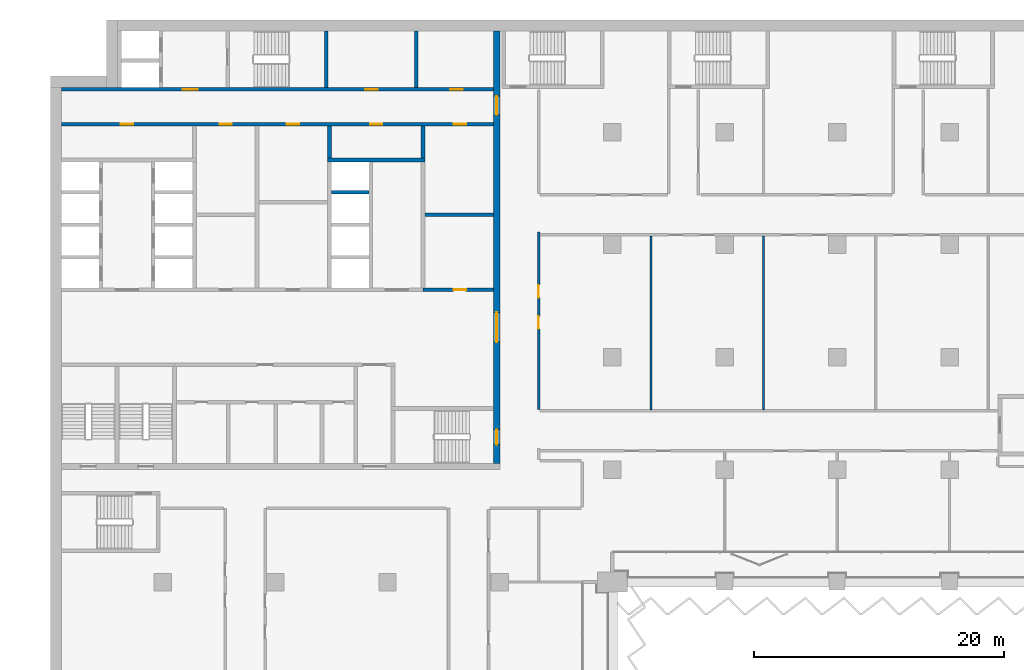
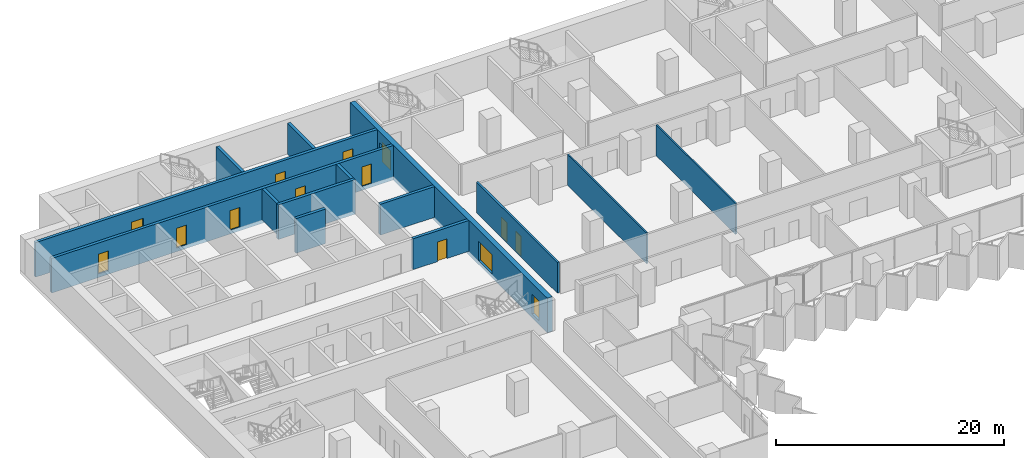
# One storey, part 15 of 28: 14 doors, 14 walls, 14 openings.
"""IFC4 building model written with IfcOpenShell, lengths in metres."""

import ifcopenshell
import ifcopenshell.guid

model = None  # the IFC model being written
_history = None  # IfcOwnerHistory: only IFC2X3 demands one
_inside = {}  # id of a spatial element -> (the spatial element, [elements in it])
_under = {}  # id of a project, library or spatial element -> (it, [spatial elements below it])
_declared = {}  # id of a project -> (the project, [libraries it declares])
_typed = {}  # id of a type object -> (the type object, [elements of that type])
_made_of = {}  # id of a material, layer set ... -> (it, [elements and type objects made of it])


def new_model(schema):
    """Start an empty IFC model of exactly this schema.

    Asked for "IFC4X3", IfcOpenShell would pick the latest addendum, in which some entities
    have other attributes; the version numbers below select the first issue.
    IFC2X3 requires an IfcOwnerHistory on every rooted entity: one is made here for all.
    """
    global model, _history
    if schema == "IFC4X3":
        model = ifcopenshell.file(schema_version=(4, 3, 0, 0))
    else:
        model = ifcopenshell.file(schema=schema)
    _inside.clear()
    _under.clear()
    _declared.clear()
    _typed.clear()
    _made_of.clear()
    _history = None
    if model.schema == "IFC2X3":
        org = make("IfcOrganization", Name="unknown")
        user = make(
            "IfcPersonAndOrganization",
            ThePerson=make("IfcPerson", FamilyName="unknown"),
            TheOrganization=org,
        )
        app = make(
            "IfcApplication",
            ApplicationDeveloper=org,
            Version="unknown",
            ApplicationFullName="unknown",
            ApplicationIdentifier="unknown",
        )
        _history = make(
            "IfcOwnerHistory",
            OwningUser=user,
            OwningApplication=app,
            ChangeAction="ADDED",
            CreationDate=0,
        )
    return model


def make(cls, **values):
    """One entity of the class cls with the attributes given. An attribute that is None is left unset."""
    return model.create_entity(
        cls, **{name: value for name, value in values.items() if value is not None}
    )


def rooted(cls, **values):
    """An entity with a GlobalId (a new one), such as an element, a storey or a relation."""
    return make(cls, GlobalId=ifcopenshell.guid.new(), OwnerHistory=_history, **values)


def si_unit(unit_type, name, prefix=None):
    """IfcSIUnit, for example si_unit("LENGTHUNIT", "METRE", prefix="MILLI")."""
    return make("IfcSIUnit", UnitType=unit_type, Prefix=prefix, Name=name)


def assignment(units):
    """IfcUnitAssignment: the units of a project."""
    return None if units is None else make("IfcUnitAssignment", Units=units)


def point(xyz):
    """IfcCartesianPoint."""
    return None if xyz is None else make("IfcCartesianPoint", Coordinates=xyz)


def direction(xyz):
    """IfcDirection."""
    return None if xyz is None else make("IfcDirection", DirectionRatios=xyz)


def frame(location, z_axis=None, x_axis=None):
    """IfcAxis2Placement3D, a coordinate frame: its origin and axes. An axis left out is left unset."""
    return make(
        "IfcAxis2Placement3D",
        Location=point(location),
        Axis=direction(z_axis),
        RefDirection=direction(x_axis),
    )


def frame_2d(location, x_axis=None):
    """IfcAxis2Placement2D, a coordinate frame in the plane: its origin and x axis."""
    return make(
        "IfcAxis2Placement2D", Location=point(location), RefDirection=direction(x_axis)
    )


def origin():
    """The frame at (0, 0, 0) with its axes left unset."""
    return frame((0.0, 0.0, 0.0))


def place(relative_to, where):
    """IfcLocalPlacement: puts the frame where relative to a parent placement (None: the world)."""
    return make(
        "IfcLocalPlacement", PlacementRelTo=relative_to, RelativePlacement=where
    )


def context(
    kind, dimensions, precision=None, world=None, true_north=None, identifier=None
):
    """IfcGeometricRepresentationContext, for example the 3D "Model" context."""
    return make(
        "IfcGeometricRepresentationContext",
        ContextIdentifier=identifier,
        ContextType=kind,
        CoordinateSpaceDimension=dimensions,
        Precision=precision,
        WorldCoordinateSystem=world,
        TrueNorth=true_north,
    )


def subcontext(parent, identifier, kind, view, scale=None):
    """IfcGeometricRepresentationSubContext, for example "Body" below "Model"."""
    return make(
        "IfcGeometricRepresentationSubContext",
        ContextIdentifier=identifier,
        ContextType=kind,
        ParentContext=parent,
        TargetScale=scale,
        TargetView=view,
    )


def project(units=None, contexts=None):
    """IfcProject with its units and contexts."""
    return rooted(
        "IfcProject",
        Name="project",
        RepresentationContexts=contexts,
        UnitsInContext=assignment(units),
    )


def spatial(cls, under=None, at=None, **own):
    """A site, building, storey or space (cls), placed at a placement, below another one or the project."""
    s = rooted(cls, ObjectPlacement=at, **own)
    if under is not None:
        _under.setdefault(under.id(), (under, []))[1].append(s)
    return s


def profile(cls, at=None, kind="AREA", **sizes):
    """A parametric profile (cls). Its sizes go by their IFC names, for example OverallWidth=200.0."""
    return make(cls, ProfileType=kind, Position=at, **sizes)


def rectangle(**sizes):
    """IfcRectangleProfileDef."""
    return profile("IfcRectangleProfileDef", **sizes)


def extrude(swept, where, along, depth):
    """IfcExtrudedAreaSolid: the profile swept, set in the frame where, extruded along a direction by depth."""
    return make(
        "IfcExtrudedAreaSolid",
        SweptArea=swept,
        Position=where,
        ExtrudedDirection=direction(along),
        Depth=depth,
    )


def shape(context_of_items, identifier, shape_type, items):
    """IfcShapeRepresentation: the items that make up one representation, for example the "Body"."""
    return make(
        "IfcShapeRepresentation",
        ContextOfItems=context_of_items,
        RepresentationIdentifier=identifier,
        RepresentationType=shape_type,
        Items=items,
    )


def material(Name=None, Category=None):
    """IfcMaterial."""
    return make("IfcMaterial", Name=Name, Category=Category)


def layer(
    of_material, thickness, ventilated=None, Name=None, Category=None, Priority=None
):
    """IfcMaterialLayer: one layer of a wall or slab, of a material (None: an air gap)."""
    return make(
        "IfcMaterialLayer",
        Material=of_material,
        LayerThickness=thickness,
        IsVentilated=ventilated,
        Name=Name,
        Category=Category,
        Priority=Priority,
    )


def layer_set(layers, Name=None):
    """IfcMaterialLayerSet."""
    return make("IfcMaterialLayerSet", MaterialLayers=layers, LayerSetName=Name)


def made_of(thing, what):
    """Note that an element or type object is made of a material, layer set ...; save() writes the relation."""
    if what is not None:
        _made_of.setdefault(what.id(), (what, []))[1].append(thing)
    return thing


def type_object(cls, material=None, **own):
    """A type object (cls), such as IfcWallType, which elements share."""
    return made_of(rooted(cls, **own), material)


def element(
    cls,
    number,
    at=None,
    inside=None,
    cuts=None,
    type_object=None,
    material=None,
    context=None,
    identifier="Body",
    shape_type=None,
    held_by="IfcProductDefinitionShape",
    body=None,
    shapes=None,
    **own,
):
    """One element of the class cls, such as IfcWall. Its Tag is "e" and its number.

    at: its placement. inside: the storey or other place that contains it. cuts: it is an
    opening in that element (IfcRelVoidsElement). A single representation is given by context,
    identifier, shape_type and body (its items); several are given by shapes. held_by: the class
    of the entity that holds the representations. save() writes the other relations.
    """
    e = rooted(cls, Tag="e%d" % number, ObjectPlacement=at, **own)
    if body is not None:
        shapes = [shape(context, identifier, shape_type, body)]
    if shapes is not None:
        e.Representation = make(held_by, Representations=shapes)
    if inside is not None:
        _inside.setdefault(inside.id(), (inside, []))[1].append(e)
    if cuts is not None:
        rooted(
            "IfcRelVoidsElement", RelatingBuildingElement=cuts, RelatedOpeningElement=e
        )
    if type_object is not None:
        _typed.setdefault(type_object.id(), (type_object, []))[1].append(e)
    return made_of(e, material)


def fill(opening, filler):
    """IfcRelFillsElement: the door or window that sits in an opening."""
    return rooted(
        "IfcRelFillsElement",
        RelatingOpeningElement=opening,
        RelatedBuildingElement=filler,
    )


def aggregate(whole, parts):
    """IfcRelAggregates: a whole, such as a stair, and the parts it consists of."""
    return rooted("IfcRelAggregates", RelatingObject=whole, RelatedObjects=parts)


def save(model, path):
    """Write the relations noted so far, then the file.

    IfcRelAggregates (storeys below a building ...), IfcRelContainedInSpatialStructure (elements
    in a storey), IfcRelDefinesByType, IfcRelAssociatesMaterial and IfcRelDeclares: one each for
    every whole, place, type object, material and project.
    """
    for whole, parts in _under.values():
        aggregate(whole, parts)
    for where, things in _inside.values():
        rooted(
            "IfcRelContainedInSpatialStructure",
            RelatedElements=things,
            RelatingStructure=where,
        )
    for kind, things in _typed.values():
        rooted("IfcRelDefinesByType", RelatedObjects=things, RelatingType=kind)
    for what, things in _made_of.values():
        rooted("IfcRelAssociatesMaterial", RelatedObjects=things, RelatingMaterial=what)
    for by, libraries in _declared.values():
        rooted("IfcRelDeclares", RelatingContext=by, RelatedDefinitions=libraries)
    model.write(path)


model = new_model("IFC4")

# Units and contexts
model_context = context("Model", 3, precision=1e-05, world=origin(), true_north=direction((0.0, 1.0)))
body_context = subcontext(model_context, "Body", "Model", "MODEL_VIEW")
ifc_project = project(units=[si_unit("LENGTHUNIT", "METRE"), si_unit("AREAUNIT", "SQUARE_METRE"), si_unit("VOLUMEUNIT", "CUBIC_METRE"), si_unit("PLANEANGLEUNIT", "RADIAN"), si_unit("MASSUNIT", "GRAM", prefix="KILO")], contexts=[model_context])

# Site, building, storey
site_placement = place(None, origin())
site = spatial("IfcSite", under=ifc_project, at=site_placement, CompositionType="ELEMENT")
building_placement = place(site_placement, origin())
building = spatial("IfcBuilding", under=site, at=building_placement, Name="Hunhe Ridgeline Campus", CompositionType="ELEMENT")
storey_placement = place(building_placement, frame((0.0, 0.0, 39.5)))
storey = spatial("IfcBuildingStorey", under=building, at=storey_placement, Name="L08", CompositionType="ELEMENT", Elevation=39.5)

# Wall, opening, door
ifc_material_1 = material(Name="Masonry concrete blockwork", Category="masonry")
ifc_layer_1 = layer(ifc_material_1, 0.300048828125)
ifc_layer_set_1 = layer_set([ifc_layer_1], Name="Core room partition 300 concrete block")
wall_type_1 = type_object("IfcWallType", Name="Core room partition 300 concrete block", PredefinedType="PARTITIONING", material=ifc_layer_set_1)
wall_1_placement = place(storey_placement, frame((29.85009765625, 77.39990234375, 0.0), z_axis=(0.0, 0.0, 1.0), x_axis=(1.0, 0.0, 0.0)))
wall_1 = element("IfcWall", 1, at=wall_1_placement, inside=storey, type_object=wall_type_1, Name="L08 core partition 15", PredefinedType="PARTITIONING", context=body_context, shape_type="SweptSolid", body=[
    extrude(rectangle(XDim=5.64990234375, YDim=0.300048828125, at=frame_2d((2.824951171875, 0.0))), origin(), (0.0, 0.0, 1.0), 3.300048828125),
])
opening_1_placement = place(wall_1_placement, frame((2.449951171875, 0.0, 0.0)))
opening_1 = element("IfcOpeningElement", 2, at=opening_1_placement, cuts=wall_1, Name="Opening CD32", PredefinedType="OPENING", context=body_context, shape_type="SweptSolid", body=[
    extrude(rectangle(XDim=1.0, YDim=2.10009765625, at=frame_2d((0.5, 1.050048828125))), frame((0.0, 0.14990234375, 0.0), z_axis=(0.0, -1.0, 0.0), x_axis=(1.0, 0.0, 0.0)), (0.0, 0.0, 1.0), 0.300048828125),
])
ifc_material_2 = material(Name="Solid core timber door leaf", Category="wood")
door_type_1 = type_object("IfcDoorType", Name="Timber door 1000x2100", OperationType="SINGLE_SWING_LEFT", PredefinedType="DOOR", material=ifc_material_2)
door_1_placement = place(opening_1_placement, origin())
door_1 = element("IfcDoor", 3, at=door_1_placement, inside=storey, type_object=door_type_1, Name="L08 door ES0", OperationType="SINGLE_SWING_RIGHT", OverallHeight=2.10009765625, OverallWidth=1.0, PredefinedType="DOOR", context=body_context, shape_type="SweptSolid", body=[
    extrude(rectangle(XDim=1.0, YDim=2.10009765625, at=frame_2d((0.5, 1.050048828125))), frame((0.0, 0.02490234375, 0.0), z_axis=(0.0, -1.0, 0.0), x_axis=(1.0, 0.0, 0.0)), (0.0, 0.0, 1.0), 0.050048828125),
])
fill(opening_1, door_1)

# Walls
wall_2_placement = place(storey_placement, frame((30.0, 83.39990234375, 0.0), z_axis=(0.0, 0.0, 1.0), x_axis=(1.0, 0.0, 0.0)))
element("IfcWall", 4, at=wall_2_placement, inside=storey, type_object=wall_type_1, Name="L08 core partition 23", PredefinedType="PARTITIONING", context=body_context, shape_type="SweptSolid", body=[
    extrude(rectangle(XDim=5.5, YDim=0.300048828125, at=frame_2d((2.75, 0.0))), origin(), (0.0, 0.0, 1.0), 3.300048828125),
])
wall_3_placement = place(storey_placement, frame((22.35009765625, 87.949951171875, 0.0), z_axis=(0.0, 0.0, 1.0), x_axis=(0.0, 1.0, 0.0)))
element("IfcWall", 5, at=wall_3_placement, inside=storey, type_object=wall_type_1, Name="L08 core partition 55", PredefinedType="PARTITIONING", context=body_context, shape_type="SweptSolid", body=[
    extrude(rectangle(XDim=2.550048828125, YDim=0.300048828125, at=frame_2d((1.27490234375, 0.0))), origin(), (0.0, 0.0, 1.0), 3.300048828125),
])
wall_4_placement = place(storey_placement, frame((29.300048828125, 93.60009765625, 0.0), z_axis=(0.0, 0.0, 1.0), x_axis=(0.0, 1.0, 0.0)))
element("IfcWall", 6, at=wall_4_placement, inside=storey, type_object=wall_type_1, Name="L08 core partition 61", PredefinedType="PARTITIONING", context=body_context, shape_type="SweptSolid", body=[
    extrude(rectangle(XDim=4.5, YDim=0.300048828125, at=frame_2d((2.25, 0.0))), origin(), (0.0, 0.0, 1.0), 3.300048828125),
])
wall_5_placement = place(storey_placement, frame((29.85009765625, 87.949951171875, 0.0), z_axis=(0.0, 0.0, 1.0), x_axis=(0.0, 1.0, 0.0)))
element("IfcWall", 7, at=wall_5_placement, inside=storey, type_object=wall_type_1, Name="L08 core partition 63", PredefinedType="PARTITIONING", context=body_context, shape_type="SweptSolid", body=[
    extrude(rectangle(XDim=2.550048828125, YDim=0.300048828125, at=frame_2d((1.27490234375, 0.0))), origin(), (0.0, 0.0, 1.0), 3.300048828125),
])

# Wall, openings, doors
ifc_material_3 = material(Name="Concrete C80", Category="concrete")
ifc_layer_2 = layer(ifc_material_3, 0.5)
ifc_layer_set_2 = layer_set([ifc_layer_2], Name="Core wall 500 reinforced concrete C80")
wall_type_2 = type_object("IfcWallType", Name="Core wall 500 reinforced concrete C80", PredefinedType="SOLIDWALL", material=ifc_layer_set_2)
wall_6_placement = place(storey_placement, frame((35.75, 63.5, -0.39990234375), z_axis=(0.0, 0.0, 1.0), x_axis=(0.0, 1.0, 0.0)))
wall_6 = element("IfcWall", 8, at=wall_6_placement, inside=storey, type_object=wall_type_2, Name="L08 core wall 64", PredefinedType="SOLIDWALL", context=body_context, shape_type="SweptSolid", body=[
    extrude(rectangle(XDim=34.60009765625, YDim=0.5, at=frame_2d((17.300048828125, 0.0))), origin(), (0.0, 0.0, 1.0), 3.699951171875),
])
opening_2_placement = place(wall_6_placement, frame((9.699951171875, 0.0, 0.39990234375)))
opening_2 = element("IfcOpeningElement", 9, at=opening_2_placement, cuts=wall_6, Name="Opening CD4", PredefinedType="OPENING", context=body_context, shape_type="SweptSolid", body=[
    extrude(rectangle(XDim=2.39990234375, YDim=2.10009765625, at=frame_2d((1.199951171875, 1.050048828125))), frame((0.0, 0.25, 0.0), z_axis=(0.0, -1.0, 0.0), x_axis=(1.0, 0.0, 0.0)), (0.0, 0.0, 1.0), 0.5),
])
opening_3_placement = place(wall_6_placement, frame((27.89990234375, 0.0, 0.39990234375)))
opening_3 = element("IfcOpeningElement", 10, at=opening_3_placement, cuts=wall_6, Name="Opening CD5", PredefinedType="OPENING", context=body_context, shape_type="SweptSolid", body=[
    extrude(rectangle(XDim=1.5, YDim=2.10009765625, at=frame_2d((0.75, 1.050048828125))), frame((0.0, 0.25, 0.0), z_axis=(0.0, -1.0, 0.0), x_axis=(1.0, 0.0, 0.0)), (0.0, 0.0, 1.0), 0.5),
])
opening_4_placement = place(wall_6_placement, frame((1.5, 0.0, 0.39990234375)))
opening_4 = element("IfcOpeningElement", 11, at=opening_4_placement, cuts=wall_6, Name="Opening CD15", PredefinedType="OPENING", context=body_context, shape_type="SweptSolid", body=[
    extrude(rectangle(XDim=1.199951171875, YDim=2.10009765625, at=frame_2d((0.60009765625, 1.050048828125))), frame((0.0, 0.25, 0.0), z_axis=(0.0, -1.0, 0.0), x_axis=(1.0, 0.0, 0.0)), (0.0, 0.0, 1.0), 0.5),
])
ifc_material_4 = material(Name="Anodised aluminium and glass", Category="aluminium")
door_type_2 = type_object("IfcDoorType", Name="Glazed double door 2400x2100", OperationType="DOUBLE_DOOR_SINGLE_SWING", PredefinedType="DOOR", material=ifc_material_4)
door_2_placement = place(opening_2_placement, frame((2.39990234375, 0.0, 0.0), z_axis=(0.0, 0.0, 1.0), x_axis=(-1.0, 0.0, 0.0)))
door_2 = element("IfcDoor", 12, at=door_2_placement, inside=storey, type_object=door_type_2, Name="L08 door HALL-FLOOR", OperationType="DOUBLE_DOOR_SINGLE_SWING", OverallHeight=2.10009765625, OverallWidth=2.39990234375, PredefinedType="DOOR", context=body_context, shape_type="SweptSolid", body=[
    extrude(rectangle(XDim=2.39990234375, YDim=2.10009765625, at=frame_2d((1.199951171875, 1.050048828125))), frame((0.0, 0.02490234375, 0.0), z_axis=(0.0, -1.0, 0.0), x_axis=(1.0, 0.0, 0.0)), (0.0, 0.0, 1.0), 0.050048828125),
])
fill(opening_2, door_2)
ifc_material_5 = material(Name="Hollow metal fire door leaf")
door_type_3 = type_object("IfcDoorType", Name="Stair door 1200x2100 FD60", OperationType="SINGLE_SWING_LEFT", PredefinedType="DOOR", material=ifc_material_5)
door_3_placement = place(opening_4_placement, frame((1.199951171875, 0.0, 0.0), z_axis=(0.0, 0.0, 1.0), x_axis=(-1.0, 0.0, 0.0)))
door_3 = element("IfcDoor", 13, at=door_3_placement, inside=storey, type_object=door_type_3, Name="L08 door S2-FLOOR", OperationType="SINGLE_SWING_RIGHT", OverallHeight=2.10009765625, OverallWidth=1.199951171875, PredefinedType="DOOR", context=body_context, shape_type="SweptSolid", body=[
    extrude(rectangle(XDim=1.199951171875, YDim=2.10009765625, at=frame_2d((0.60009765625, 1.050048828125))), frame((0.0, 0.02490234375, 0.0), z_axis=(0.0, -1.0, 0.0), x_axis=(1.0, 0.0, 0.0)), (0.0, 0.0, 1.0), 0.050048828125),
])
fill(opening_4, door_3)
door_type_4 = type_object("IfcDoorType", Name="Timber door 1500x2100", OperationType="SINGLE_SWING_LEFT", PredefinedType="DOOR", material=ifc_material_2)
door_4_placement = place(opening_3_placement, frame((1.5, 0.0, 0.0), z_axis=(0.0, 0.0, 1.0), x_axis=(-1.0, 0.0, 0.0)))
door_4 = element("IfcDoor", 14, at=door_4_placement, inside=storey, type_object=door_type_4, Name="L08 door C1-FLOOR", OperationType="SINGLE_SWING_RIGHT", OverallHeight=2.10009765625, OverallWidth=1.5, PredefinedType="DOOR", context=body_context, shape_type="SweptSolid", body=[
    extrude(rectangle(XDim=1.5, YDim=2.10009765625, at=frame_2d((0.75, 1.050048828125))), frame((0.0, 0.02490234375, 0.0), z_axis=(0.0, -1.0, 0.0), x_axis=(1.0, 0.0, 0.0)), (0.0, 0.0, 1.0), 0.050048828125),
])
fill(opening_3, door_4)

ifc_material_6 = material(Name="Gypsum board partition")
ifc_layer_3 = layer(ifc_material_6, 0.199951171875)
ifc_layer_set_3 = layer_set([ifc_layer_3], Name="Corridor partition 200 gypsum board on steel studs")
wall_type_3 = type_object("IfcWallType", Name="Corridor partition 200 gypsum board on steel studs", PredefinedType="PARTITIONING", material=ifc_layer_set_3)
wall_7_placement = place(storey_placement, frame((39.10009765625, 82.012451171875, 0.0), z_axis=(0.0, 0.0, 1.0), x_axis=(0.0, -1.0, 0.0)))
wall_7 = element("IfcWall", 15, at=wall_7_placement, inside=storey, type_object=wall_type_3, Name="F-L08-wall-055", PredefinedType="PARTITIONING", context=body_context, shape_type="SweptSolid", body=[
    extrude(rectangle(XDim=14.21240234375, YDim=0.199951171875, at=frame_2d((7.106201171875, 0.0))), origin(), (0.0, 0.0, 1.0), 3.300048828125),
])
opening_5_placement = place(wall_7_placement, frame((6.733154296875, 0.0, 0.0)))
opening_5 = element("IfcOpeningElement", 16, at=opening_5_placement, cuts=wall_7, Name="Opening RD1-032", PredefinedType="OPENING", context=body_context, shape_type="SweptSolid", body=[
    extrude(rectangle(XDim=1.0, YDim=2.10009765625, at=frame_2d((0.5, 1.050048828125))), frame((0.0, 0.10009765625, 0.0), z_axis=(0.0, -1.0, 0.0), x_axis=(1.0, 0.0, 0.0)), (0.0, 0.0, 1.0), 0.199951171875),
])
opening_6_placement = place(wall_7_placement, frame((4.233154296875, 0.0, 0.0)))
opening_6 = element("IfcOpeningElement", 17, at=opening_6_placement, cuts=wall_7, Name="Opening RD1-035", PredefinedType="OPENING", context=body_context, shape_type="SweptSolid", body=[
    extrude(rectangle(XDim=1.0, YDim=2.10009765625, at=frame_2d((0.5, 1.050048828125))), frame((0.0, 0.10009765625, 0.0), z_axis=(0.0, -1.0, 0.0), x_axis=(1.0, 0.0, 0.0)), (0.0, 0.0, 1.0), 0.199951171875),
])
ifc_material_7 = material(Name="Timber door leaf", Category="wood")
door_type_5 = type_object("IfcDoorType", Name="Single fire door 1000x2100 timber FD60", OperationType="NOTDEFINED", PredefinedType="DOOR", material=ifc_material_7)
door_5_placement = place(opening_5_placement, frame((1.0, 0.0, 0.0), z_axis=(0.0, 0.0, 1.0), x_axis=(-1.0, 0.0, 0.0)))
door_5 = element("IfcDoor", 18, at=door_5_placement, inside=storey, type_object=door_type_5, Name="F-L08-door-032", OperationType="SINGLE_SWING_LEFT", OverallHeight=2.10009765625, OverallWidth=1.0, PredefinedType="DOOR", context=body_context, shape_type="SweptSolid", body=[
    extrude(rectangle(XDim=1.0, YDim=2.10009765625, at=frame_2d((0.5, 1.050048828125))), frame((0.0, 0.02490234375, 0.0), z_axis=(0.0, -1.0, 0.0), x_axis=(1.0, 0.0, 0.0)), (0.0, 0.0, 1.0), 0.050048828125),
])
fill(opening_5, door_5)
door_6_placement = place(opening_6_placement, frame((1.0, 0.0, 0.0), z_axis=(0.0, 0.0, 1.0), x_axis=(-1.0, 0.0, 0.0)))
door_6 = element("IfcDoor", 19, at=door_6_placement, inside=storey, type_object=door_type_5, Name="F-L08-door-035", OperationType="SINGLE_SWING_RIGHT", OverallHeight=2.10009765625, OverallWidth=1.0, PredefinedType="DOOR", context=body_context, shape_type="SweptSolid", body=[
    extrude(rectangle(XDim=1.0, YDim=2.10009765625, at=frame_2d((0.5, 1.050048828125))), frame((0.0, 0.02490234375, 0.0), z_axis=(0.0, -1.0, 0.0), x_axis=(1.0, 0.0, 0.0)), (0.0, 0.0, 1.0), 0.050048828125),
])
fill(opening_6, door_6)

ifc_layer_4 = layer(ifc_material_3, 0.300048828125)
ifc_layer_set_4 = layer_set([ifc_layer_4], Name="Lobby wall 300 reinforced concrete C80")
wall_type_4 = type_object("IfcWallType", Name="Lobby wall 300 reinforced concrete C80", PredefinedType="SOLIDWALL", material=ifc_layer_set_4)
wall_8_placement = place(storey_placement, frame((0.89990234375, 90.64990234375, -0.39990234375), z_axis=(0.0, 0.0, 1.0), x_axis=(1.0, 0.0, 0.0)))
wall_8 = element("IfcWall", 20, at=wall_8_placement, inside=storey, type_object=wall_type_4, Name="L08 core wall 30", PredefinedType="SOLIDWALL", context=body_context, shape_type="SweptSolid", body=[
    extrude(rectangle(XDim=34.60009765625, YDim=0.300048828125, at=frame_2d((17.300048828125, 0.0))), origin(), (0.0, 0.0, 1.0), 3.699951171875),
])
opening_7_placement = place(wall_8_placement, frame((4.75, 0.0, 0.39990234375)))
opening_7 = element("IfcOpeningElement", 21, at=opening_7_placement, cuts=wall_8, Name="Opening CD26", PredefinedType="OPENING", context=body_context, shape_type="SweptSolid", body=[
    extrude(rectangle(XDim=1.0, YDim=2.10009765625, at=frame_2d((0.5, 1.050048828125))), frame((0.0, 0.14990234375, 0.0), z_axis=(0.0, -1.0, 0.0), x_axis=(1.0, 0.0, 0.0)), (0.0, 0.0, 1.0), 0.300048828125),
])
opening_8_placement = place(wall_8_placement, frame((24.699951171875, 0.0, 0.39990234375)))
opening_8 = element("IfcOpeningElement", 22, at=opening_8_placement, cuts=wall_8, Name="Opening CD27", PredefinedType="OPENING", context=body_context, shape_type="SweptSolid", body=[
    extrude(rectangle(XDim=1.0, YDim=2.10009765625, at=frame_2d((0.5, 1.050048828125))), frame((0.0, 0.14990234375, 0.0), z_axis=(0.0, -1.0, 0.0), x_axis=(1.0, 0.0, 0.0)), (0.0, 0.0, 1.0), 0.300048828125),
])
opening_9_placement = place(wall_8_placement, frame((12.64990234375, 0.0, 0.39990234375)))
opening_9 = element("IfcOpeningElement", 23, at=opening_9_placement, cuts=wall_8, Name="Opening CD29", PredefinedType="OPENING", context=body_context, shape_type="SweptSolid", body=[
    extrude(rectangle(XDim=1.0, YDim=2.10009765625, at=frame_2d((0.5, 1.050048828125))), frame((0.0, 0.14990234375, 0.0), z_axis=(0.0, -1.0, 0.0), x_axis=(1.0, 0.0, 0.0)), (0.0, 0.0, 1.0), 0.300048828125),
])
opening_10_placement = place(wall_8_placement, frame((18.050048828125, 0.0, 0.39990234375)))
opening_10 = element("IfcOpeningElement", 24, at=opening_10_placement, cuts=wall_8, Name="Opening CD31", PredefinedType="OPENING", context=body_context, shape_type="SweptSolid", body=[
    extrude(rectangle(XDim=1.0, YDim=2.10009765625, at=frame_2d((0.5, 1.050048828125))), frame((0.0, 0.14990234375, 0.0), z_axis=(0.0, -1.0, 0.0), x_axis=(1.0, 0.0, 0.0)), (0.0, 0.0, 1.0), 0.300048828125),
])
opening_11_placement = place(wall_8_placement, frame((31.39990234375, 0.0, 0.39990234375)))
opening_11 = element("IfcOpeningElement", 25, at=opening_11_placement, cuts=wall_8, Name="Opening CD33", PredefinedType="OPENING", context=body_context, shape_type="SweptSolid", body=[
    extrude(rectangle(XDim=1.0, YDim=2.10009765625, at=frame_2d((0.5, 1.050048828125))), frame((0.0, 0.14990234375, 0.0), z_axis=(0.0, -1.0, 0.0), x_axis=(1.0, 0.0, 0.0)), (0.0, 0.0, 1.0), 0.300048828125),
])
door_7_placement = place(opening_7_placement, frame((1.0, 0.0, 0.0), z_axis=(0.0, 0.0, 1.0), x_axis=(-1.0, 0.0, 0.0)))
door_7 = element("IfcDoor", 26, at=door_7_placement, inside=storey, type_object=door_type_1, Name="L08 door NR-0", OperationType="SINGLE_SWING_RIGHT", OverallHeight=2.10009765625, OverallWidth=1.0, PredefinedType="DOOR", context=body_context, shape_type="SweptSolid", body=[
    extrude(rectangle(XDim=1.0, YDim=2.10009765625, at=frame_2d((0.5, 1.050048828125))), frame((0.0, 0.02490234375, 0.0), z_axis=(0.0, -1.0, 0.0), x_axis=(1.0, 0.0, 0.0)), (0.0, 0.0, 1.0), 0.050048828125),
])
fill(opening_7, door_7)
door_8_placement = place(opening_8_placement, frame((1.0, 0.0, 0.0), z_axis=(0.0, 0.0, 1.0), x_axis=(-1.0, 0.0, 0.0)))
door_8 = element("IfcDoor", 27, at=door_8_placement, inside=storey, type_object=door_type_1, Name="L08 door NR-1", OperationType="SINGLE_SWING_LEFT", OverallHeight=2.10009765625, OverallWidth=1.0, PredefinedType="DOOR", context=body_context, shape_type="SweptSolid", body=[
    extrude(rectangle(XDim=1.0, YDim=2.10009765625, at=frame_2d((0.5, 1.050048828125))), frame((0.0, 0.02490234375, 0.0), z_axis=(0.0, -1.0, 0.0), x_axis=(1.0, 0.0, 0.0)), (0.0, 0.0, 1.0), 0.050048828125),
])
fill(opening_8, door_8)
door_9_placement = place(opening_9_placement, frame((1.0, 0.0, 0.0), z_axis=(0.0, 0.0, 1.0), x_axis=(-1.0, 0.0, 0.0)))
door_9 = element("IfcDoor", 28, at=door_9_placement, inside=storey, type_object=door_type_1, Name="L08 door VD-HR1", OperationType="SINGLE_SWING_LEFT", OverallHeight=2.10009765625, OverallWidth=1.0, PredefinedType="DOOR", context=body_context, shape_type="SweptSolid", body=[
    extrude(rectangle(XDim=1.0, YDim=2.10009765625, at=frame_2d((0.5, 1.050048828125))), frame((0.0, 0.02490234375, 0.0), z_axis=(0.0, -1.0, 0.0), x_axis=(1.0, 0.0, 0.0)), (0.0, 0.0, 1.0), 0.050048828125),
])
fill(opening_9, door_9)
door_10_placement = place(opening_10_placement, frame((1.0, 0.0, 0.0), z_axis=(0.0, 0.0, 1.0), x_axis=(-1.0, 0.0, 0.0)))
door_10 = element("IfcDoor", 29, at=door_10_placement, inside=storey, type_object=door_type_1, Name="L08 door VD-HR3", OperationType="SINGLE_SWING_LEFT", OverallHeight=2.10009765625, OverallWidth=1.0, PredefinedType="DOOR", context=body_context, shape_type="SweptSolid", body=[
    extrude(rectangle(XDim=1.0, YDim=2.10009765625, at=frame_2d((0.5, 1.050048828125))), frame((0.0, 0.02490234375, 0.0), z_axis=(0.0, -1.0, 0.0), x_axis=(1.0, 0.0, 0.0)), (0.0, 0.0, 1.0), 0.050048828125),
])
fill(opening_10, door_10)
door_11_placement = place(opening_11_placement, frame((1.0, 0.0, 0.0), z_axis=(0.0, 0.0, 1.0), x_axis=(-1.0, 0.0, 0.0)))
door_11 = element("IfcDoor", 30, at=door_11_placement, inside=storey, type_object=door_type_1, Name="L08 door ES1", OperationType="SINGLE_SWING_RIGHT", OverallHeight=2.10009765625, OverallWidth=1.0, PredefinedType="DOOR", context=body_context, shape_type="SweptSolid", body=[
    extrude(rectangle(XDim=1.0, YDim=2.10009765625, at=frame_2d((0.5, 1.050048828125))), frame((0.0, 0.02490234375, 0.0), z_axis=(0.0, -1.0, 0.0), x_axis=(1.0, 0.0, 0.0)), (0.0, 0.0, 1.0), 0.050048828125),
])
fill(opening_11, door_11)

# Walls
ifc_layer_5 = layer(ifc_material_6, 0.14990234375)
ifc_layer_set_5 = layer_set([ifc_layer_5], Name="Room partition 150 gypsum board on steel studs")
wall_type_5 = type_object("IfcWallType", Name="Room partition 150 gypsum board on steel studs", PredefinedType="PARTITIONING", material=ifc_layer_set_5)
for number, where, z_axis, x_axis, name in (
    (31, (48.10009765625, 81.699951171875, 0.0), (0.0, 0.0, 1.0), (0.0, -1.0, 0.0), "F-L08-wall-058"),
    (32, (57.10009765625, 81.699951171875, 0.0), (0.0, 0.0, 1.0), (0.0, -1.0, 0.0), "F-L08-wall-063"),
):
    element("IfcWall", number, at=place(storey_placement, frame(where, z_axis=z_axis, x_axis=x_axis)), inside=storey, type_object=wall_type_5, Name=name, PredefinedType="PARTITIONING", context=body_context, shape_type="SweptSolid", body=[
        extrude(rectangle(XDim=13.89990234375, YDim=0.14990234375, at=frame_2d((6.949951171875, 0.0))), origin(), (0.0, 0.0, 1.0), 3.300048828125),
    ])
ifc_layer_6 = layer(ifc_material_3, 0.300048828125)
ifc_layer_set_6 = layer_set([ifc_layer_6], Name="Shaft wall 300 reinforced concrete C80")
wall_type_6 = type_object("IfcWallType", Name="Shaft wall 300 reinforced concrete C80", PredefinedType="SOLIDWALL", material=ifc_layer_set_6)
wall_9_placement = place(storey_placement, frame((22.5, 85.199951171875, -0.39990234375), z_axis=(0.0, 0.0, 1.0), x_axis=(1.0, 0.0, 0.0)))
element("IfcWall", 33, at=wall_9_placement, inside=storey, type_object=wall_type_6, Name="L08 core wall 27", PredefinedType="SOLIDWALL", context=body_context, shape_type="SweptSolid", body=[
    extrude(rectangle(XDim=3.0, YDim=0.300048828125, at=frame_2d((1.5, 0.0))), origin(), (0.0, 0.0, 1.0), 3.699951171875),
])
wall_10_placement = place(storey_placement, frame((22.199951171875, 87.800048828125, -0.39990234375), z_axis=(0.0, 0.0, 1.0), x_axis=(1.0, 0.0, 0.0)))
element("IfcWall", 34, at=wall_10_placement, inside=storey, type_object=wall_type_6, Name="L08 core wall 29", PredefinedType="SOLIDWALL", context=body_context, shape_type="SweptSolid", body=[
    extrude(rectangle(XDim=7.800048828125, YDim=0.300048828125, at=frame_2d((3.89990234375, 0.0))), origin(), (0.0, 0.0, 1.0), 3.699951171875),
])

# Wall, openings, doors
wall_11_placement = place(storey_placement, frame((0.89990234375, 93.449951171875, -0.39990234375), z_axis=(0.0, 0.0, 1.0), x_axis=(1.0, 0.0, 0.0)))
wall_11 = element("IfcWall", 35, at=wall_11_placement, inside=storey, type_object=wall_type_6, Name="L08 core wall 31", PredefinedType="SOLIDWALL", context=body_context, shape_type="SweptSolid", body=[
    extrude(rectangle(XDim=34.60009765625, YDim=0.300048828125, at=frame_2d((17.300048828125, 0.0))), origin(), (0.0, 0.0, 1.0), 3.699951171875),
])
opening_12_placement = place(wall_11_placement, frame((9.699951171875, 0.0, 0.39990234375)))
opening_12 = element("IfcOpeningElement", 36, at=opening_12_placement, cuts=wall_11, Name="Opening CD3", PredefinedType="OPENING", context=body_context, shape_type="SweptSolid", body=[
    extrude(rectangle(XDim=1.199951171875, YDim=2.10009765625, at=frame_2d((0.60009765625, 1.050048828125))), frame((0.0, 0.14990234375, 0.0), z_axis=(0.0, -1.0, 0.0), x_axis=(1.0, 0.0, 0.0)), (0.0, 0.0, 1.0), 0.300048828125),
])
opening_13_placement = place(wall_11_placement, frame((24.300048828125, 0.0, 0.39990234375)))
opening_13 = element("IfcOpeningElement", 37, at=opening_13_placement, cuts=wall_11, Name="Opening CD34", PredefinedType="OPENING", context=body_context, shape_type="SweptSolid", body=[
    extrude(rectangle(XDim=1.0, YDim=2.10009765625, at=frame_2d((0.5, 1.050048828125))), frame((0.0, 0.14990234375, 0.0), z_axis=(0.0, -1.0, 0.0), x_axis=(1.0, 0.0, 0.0)), (0.0, 0.0, 1.0), 0.300048828125),
])
opening_14_placement = place(wall_11_placement, frame((31.125, 0.0, 0.39990234375)))
opening_14 = element("IfcOpeningElement", 38, at=opening_14_placement, cuts=wall_11, Name="Opening CD35", PredefinedType="OPENING", context=body_context, shape_type="SweptSolid", body=[
    extrude(rectangle(XDim=1.0, YDim=2.10009765625, at=frame_2d((0.5, 1.050048828125))), frame((0.0, 0.14990234375, 0.0), z_axis=(0.0, -1.0, 0.0), x_axis=(1.0, 0.0, 0.0)), (0.0, 0.0, 1.0), 0.300048828125),
])
door_type_6 = type_object("IfcDoorType", Name="Lobby door 1200x2100 FD60", OperationType="SINGLE_SWING_LEFT", PredefinedType="DOOR", material=ifc_material_5)
door_12_placement = place(opening_12_placement, frame((1.199951171875, 0.0, 0.0), z_axis=(0.0, 0.0, 1.0), x_axis=(-1.0, 0.0, 0.0)))
door_12 = element("IfcDoor", 39, at=door_12_placement, inside=storey, type_object=door_type_6, Name="L08 door FF-C1", OperationType="SINGLE_SWING_LEFT", OverallHeight=2.10009765625, OverallWidth=1.199951171875, PredefinedType="DOOR", context=body_context, shape_type="SweptSolid", body=[
    extrude(rectangle(XDim=1.199951171875, YDim=2.10009765625, at=frame_2d((0.60009765625, 1.050048828125))), frame((0.0, 0.02490234375, 0.0), z_axis=(0.0, -1.0, 0.0), x_axis=(1.0, 0.0, 0.0)), (0.0, 0.0, 1.0), 0.050048828125),
])
fill(opening_12, door_12)
door_13_placement = place(opening_13_placement, origin())
door_13 = element("IfcDoor", 40, at=door_13_placement, inside=storey, type_object=door_type_1, Name="L08 door NB0", OperationType="SINGLE_SWING_RIGHT", OverallHeight=2.10009765625, OverallWidth=1.0, PredefinedType="DOOR", context=body_context, shape_type="SweptSolid", body=[
    extrude(rectangle(XDim=1.0, YDim=2.10009765625, at=frame_2d((0.5, 1.050048828125))), frame((0.0, 0.02490234375, 0.0), z_axis=(0.0, -1.0, 0.0), x_axis=(1.0, 0.0, 0.0)), (0.0, 0.0, 1.0), 0.050048828125),
])
fill(opening_13, door_13)
door_14_placement = place(opening_14_placement, origin())
door_14 = element("IfcDoor", 41, at=door_14_placement, inside=storey, type_object=door_type_1, Name="L08 door NB1", OperationType="SINGLE_SWING_LEFT", OverallHeight=2.10009765625, OverallWidth=1.0, PredefinedType="DOOR", context=body_context, shape_type="SweptSolid", body=[
    extrude(rectangle(XDim=1.0, YDim=2.10009765625, at=frame_2d((0.5, 1.050048828125))), frame((0.0, 0.02490234375, 0.0), z_axis=(0.0, -1.0, 0.0), x_axis=(1.0, 0.0, 0.0)), (0.0, 0.0, 1.0), 0.050048828125),
])
fill(opening_14, door_14)

# Wall
ifc_layer_7 = layer(ifc_material_3, 0.300048828125)
ifc_layer_set_7 = layer_set([ifc_layer_7], Name="Stair wall 300 reinforced concrete C80")
wall_type_7 = type_object("IfcWallType", Name="Stair wall 300 reinforced concrete C80", PredefinedType="SOLIDWALL", material=ifc_layer_set_7)
wall_12_placement = place(storey_placement, frame((22.10009765625, 93.60009765625, -0.39990234375), z_axis=(0.0, 0.0, 1.0), x_axis=(0.0, 1.0, 0.0)))
element("IfcWall", 42, at=wall_12_placement, inside=storey, type_object=wall_type_7, Name="L08 core wall 53", PredefinedType="SOLIDWALL", context=body_context, shape_type="SweptSolid", body=[
    extrude(rectangle(XDim=4.5, YDim=0.300048828125, at=frame_2d((2.25, 0.0))), origin(), (0.0, 0.0, 1.0), 3.699951171875),
])

save(model, "model.ifc")
